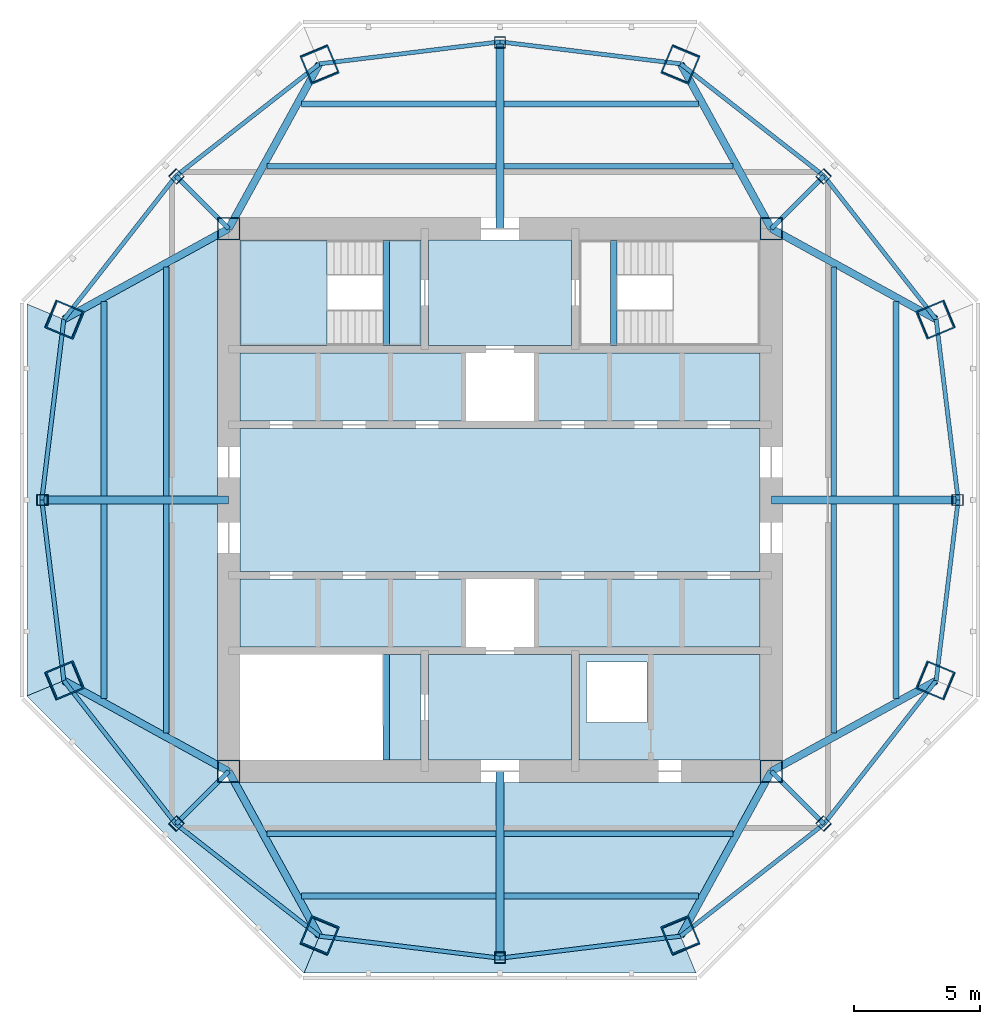
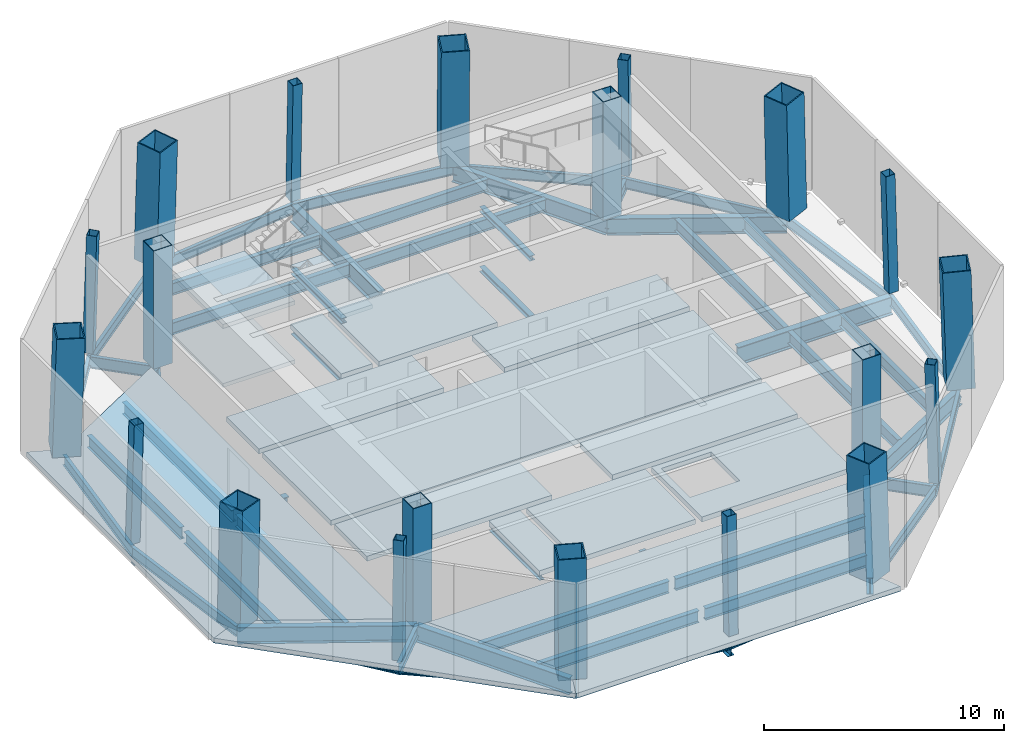
# One storey, part 1 of 6: 53 beams, 20 columns, 16 slabs, 1 element without a shape of its own.
"""IFC4 building model written with IfcOpenShell, lengths in metres."""

from ifc_helpers import new_model, si_unit, direction, frame, origin, origin_2d, place, context, subcontext, project, spatial, polyline, hollow_rectangle, i_section, outline, extrude, material, layer, layer_set, material_profile, profile_set, type_object, element, aggregate, save


model = new_model("IFC4")

# Units and contexts
model_context = context("Model", 3, precision=1e-05, world=origin(), true_north=direction((0.0, 1.0)))
body_context = subcontext(model_context, "Body", "Model", "MODEL_VIEW")
ifc_project = project(units=[si_unit("LENGTHUNIT", "METRE"), si_unit("AREAUNIT", "SQUARE_METRE"), si_unit("VOLUMEUNIT", "CUBIC_METRE"), si_unit("PLANEANGLEUNIT", "RADIAN"), si_unit("MASSUNIT", "GRAM", prefix="KILO")], contexts=[model_context])

# Site, building, storey
site_placement = place(None, origin())
site = spatial("IfcSite", under=ifc_project, at=site_placement, CompositionType="ELEMENT")
building_placement = place(site_placement, origin())
building = spatial("IfcBuilding", under=site, at=building_placement, Name="Mashrafa Tower", CompositionType="ELEMENT")
storey_placement = place(building_placement, frame((0.0, 0.0, 317.60009765625)))
storey = spatial("IfcBuildingStorey", under=building, at=storey_placement, Name="L78", CompositionType="ELEMENT", Elevation=317.60009765625)

# Columns
ifc_material_1 = material(Name="Steel ASTM A572 Gr 50", Category="steel")
ifc_material_profile_1 = material_profile(ifc_material_1, hollow_rectangle(XDim=0.89990234375, YDim=0.89990234375, WallThickness=0.0400390625, at=origin_2d()), Name="BOX900X900X40")
ifc_profile_set_1 = profile_set([ifc_material_profile_1], Name="Steel ASTM A572 Gr 50")
column_type_1 = type_object("IfcColumnType", Name="Core corner column BOX900X900X40", PredefinedType="COLUMN", material=ifc_profile_set_1)
for number, where, z_axis, x_axis, name in (
    (1, (10.800048828125, 10.800048828125, 0.0), (0.0, 0.0, 1.0), (1.0, 0.0, 0.0), "Core corner column CC-NE L78"),
    (2, (-10.800048828125, 10.800048828125, 0.0), (0.0, 0.0, 1.0), (1.0, 0.0, 0.0), "Core corner column CC-NW L78"),
    (3, (-10.800048828125, -10.800048828125, 0.0), (0.0, 0.0, 1.0), (1.0, 0.0, 0.0), "Core corner column CC-SW L78"),
    (4, (10.800048828125, -10.800048828125, 0.0), (0.0, 0.0, 1.0), (1.0, 0.0, 0.0), "Core corner column CC-SE L78"),
):
    element("IfcColumn", number, at=place(storey_placement, frame(where, z_axis=z_axis, x_axis=x_axis)), inside=storey, type_object=column_type_1, Name=name, PredefinedType="COLUMN", context=body_context, shape_type="SweptSolid", body=[
        extrude(hollow_rectangle(XDim=0.89990234375, YDim=0.89990234375, WallThickness=0.0400390625, at=origin_2d()), origin(), (0.0, 0.0, 1.0), 6.0),
    ])
ifc_material_2 = material(Name="Steel ASTM A572 Gr 50", Category="steel")
ifc_material_profile_2 = material_profile(ifc_material_2, hollow_rectangle(XDim=1.199951171875, YDim=1.199951171875, WallThickness=0.054931640625, at=origin_2d()), Name="BOX1200X1200X55")
ifc_profile_set_2 = profile_set([ifc_material_profile_2], Name="Steel ASTM A572 Gr 50")
column_type_2 = type_object("IfcColumnType", Name="Mega column CFST BOX1200X1200X55", PredefinedType="COLUMN", material=ifc_profile_set_2)
for number, where, z_axis, x_axis, name in (
    (5, (17.35205078125, 7.1875, 0.0), (-0.028266381762, -0.011713263234, 0.999531795956), (0.38282136346, -0.923822387517, 0.0), "Mega column MC1 L78"),
    (6, (7.1875, 17.35205078125, 0.0), (-0.011713263234, -0.028266381762, 0.999531795956), (0.923822387517, -0.38282136346, 0.0), "Mega column MC2 L78"),
    (7, (-7.1875, 17.35205078125, 0.0), (0.011713263234, -0.028266381762, 0.999531795956), (0.923822387517, 0.38282136346, 0.0), "Mega column MC3 L78"),
    (8, (-17.35205078125, 7.1875, 0.0), (0.028266381762, -0.011713263234, 0.999531795956), (0.38282136346, 0.923822387517, 0.0), "Mega column MC4 L78"),
    (9, (-17.35205078125, -7.1875, 0.0), (0.028266381762, 0.011713263234, 0.999531795956), (-0.38282136346, 0.923822387517, 0.0), "Mega column MC5 L78"),
    (10, (-7.1875, -17.35205078125, 0.0), (0.011713263234, 0.028266381762, 0.999531795956), (-0.923822387517, 0.38282136346, 0.0), "Mega column MC6 L78"),
    (11, (7.1875, -17.35205078125, 0.0), (-0.011713263234, 0.028266381762, 0.999531795956), (-0.923822387517, -0.38282136346, 0.0), "Mega column MC7 L78"),
    (12, (17.35205078125, -7.1875, 0.0), (-0.028266381762, 0.011713263234, 0.999531795956), (-0.38282136346, -0.923822387517, 0.0), "Mega column MC8 L78"),
):
    element("IfcColumn", number, at=place(storey_placement, frame(where, z_axis=z_axis, x_axis=x_axis)), inside=storey, type_object=column_type_2, Name=name, PredefinedType="COLUMN", context=body_context, shape_type="SweptSolid", body=[
        extrude(hollow_rectangle(XDim=1.199951171875, YDim=1.199951171875, WallThickness=0.054931640625, at=origin_2d()), origin(), (0.0, 0.0, 1.0), 6.0029296875),
    ])
ifc_material_3 = material(Name="Steel ASTM A572 Gr 50", Category="steel")
ifc_material_profile_3 = material_profile(ifc_material_3, hollow_rectangle(XDim=0.449951171875, YDim=0.449951171875, WallThickness=0.02001953125, at=origin_2d()), Name="BOX450X450X20")
ifc_profile_set_3 = profile_set([ifc_material_profile_3], Name="Steel ASTM A572 Gr 50")
column_type_3 = type_object("IfcColumnType", Name="Secondary column BOX450X450X20", PredefinedType="COLUMN", material=ifc_profile_set_3)
for number, where, z_axis, x_axis, name in (
    (13, (18.230224609375, 0.0, 0.0), (-0.028268321043, 0.0, 0.999600371161), (0.0, -1.0, 0.0), "Secondary column SC1 L78"),
    (14, (12.890625, 12.890625, 0.0), (-0.019970871281, -0.019970871281, 0.999601084734), (0.707106781187, -0.707106781187, 0.0), "Secondary column SC2 L78"),
    (15, (0.0, 18.230224609375, 0.0), (0.0, -0.028268321043, 0.999600371161), (1.0, 0.0, 0.0), "Secondary column SC3 L78"),
    (16, (-12.890625, 12.890625, 0.0), (0.019970871281, -0.019970871281, 0.999601084734), (0.707106781187, 0.707106781187, 0.0), "Secondary column SC4 L78"),
    (17, (-18.230224609375, 0.0, 0.0), (0.028268321043, 0.0, 0.999600371161), (0.0, 1.0, 0.0), "Secondary column SC5 L78"),
    (18, (-12.890625, -12.890625, 0.0), (0.019970871281, 0.019970871281, 0.999601084734), (-0.707106781187, 0.707106781187, 0.0), "Secondary column SC6 L78"),
    (19, (0.0, -18.230224609375, 0.0), (0.0, 0.028268321043, 0.999600371161), (-1.0, 0.0, 0.0), "Secondary column SC7 L78"),
    (20, (12.890625, -12.890625, 0.0), (-0.019970871281, 0.019970871281, 0.999601084734), (-0.707106781187, -0.707106781187, 0.0), "Secondary column SC8 L78"),
):
    element("IfcColumn", number, at=place(storey_placement, frame(where, z_axis=z_axis, x_axis=x_axis)), inside=storey, type_object=column_type_3, Name=name, PredefinedType="COLUMN", context=body_context, shape_type="SweptSolid", body=[
        extrude(hollow_rectangle(XDim=0.449951171875, YDim=0.449951171875, WallThickness=0.02001953125, at=origin_2d()), origin(), (0.0, 0.0, 1.0), 6.00244140625),
    ])

# Beams
ifc_material_4 = material(Name="Steel ASTM A992", Category="steel")
ifc_material_profile_4 = material_profile(ifc_material_4, i_section(OverallWidth=0.165771484375, OverallDepth=0.5283203125, WebThickness=0.009765625, FlangeThickness=0.013671875, FilletRadius=0.012939453125, at=origin_2d()), Name="W21X50")
ifc_profile_set_4 = profile_set([ifc_material_profile_4], Name="Steel ASTM A992")
beam_type_1 = type_object("IfcBeamType", Name="Beam W21X50", PredefinedType="BEAM", material=ifc_profile_set_4)
for number, where, z_axis, x_axis, name in (
    (21, (-18.2373046875, 0.0, -0.51416015625), (0.121230139357, -0.992624427118, 0.0), (0.992624427118, 0.121230139357, 0.0), "Spandrel beam L78 033"),
    (22, (-17.359130859375, -7.1904296875, -0.51416015625), (0.616166483816, -0.787615937003, 0.0), (0.787615937003, 0.616166483816, 0.0), "Spandrel beam L78 034"),
    (23, (-17.359130859375, 7.1904296875, -0.51416015625), (-0.121230139357, -0.992624427118, 0.0), (0.992624427118, -0.121230139357, 0.0), "Spandrel beam L78 035"),
    (24, (-12.895751953125, -12.895751953125, -0.51416015625), (0.787615937003, -0.616166483816, 0.0), (0.616166483816, 0.787615937003, 0.0), "Spandrel beam L78 036"),
    (25, (-12.895751953125, 12.895751953125, -0.51416015625), (-0.616166483816, -0.787615937003, 0.0), (0.787615937003, -0.616166483816, 0.0), "Spandrel beam L78 037"),
    (26, (-7.1904296875, -17.359130859375, -0.51416015625), (0.992624427118, -0.121230139357, 0.0), (0.121230139357, 0.992624427118, 0.0), "Spandrel beam L78 038"),
    (27, (-7.1904296875, 17.359130859375, -0.51416015625), (-0.787615937003, -0.616166483816, 0.0), (0.616166483816, -0.787615937003, 0.0), "Spandrel beam L78 039"),
    (28, (0.0, -18.2373046875, -0.51416015625), (0.992624427118, 0.121230139357, 0.0), (-0.121230139357, 0.992624427118, 0.0), "Spandrel beam L78 040"),
    (29, (0.0, 18.2373046875, -0.51416015625), (-0.992624427118, -0.121230139357, 0.0), (0.121230139357, -0.992624427118, 0.0), "Spandrel beam L78 041"),
    (30, (7.1904296875, -17.359130859375, -0.51416015625), (0.787615937003, 0.616166483816, 0.0), (-0.616166483816, 0.787615937003, 0.0), "Spandrel beam L78 042"),
    (31, (7.1904296875, 17.359130859375, -0.51416015625), (-0.992624427118, 0.121230139357, 0.0), (-0.121230139357, -0.992624427118, 0.0), "Spandrel beam L78 043"),
    (32, (12.895751953125, -12.895751953125, -0.51416015625), (0.616166483816, 0.787615937003, 0.0), (-0.787615937003, 0.616166483816, 0.0), "Spandrel beam L78 044"),
    (33, (12.895751953125, 12.895751953125, -0.51416015625), (-0.787615937003, 0.616166483816, 0.0), (-0.616166483816, -0.787615937003, 0.0), "Spandrel beam L78 045"),
    (34, (17.359130859375, -7.1904296875, -0.51416015625), (0.121230139357, 0.992624427118, 0.0), (-0.992624427118, 0.121230139357, 0.0), "Spandrel beam L78 046"),
    (35, (17.359130859375, 7.1904296875, -0.51416015625), (-0.616166483816, 0.787615937003, 0.0), (-0.787615937003, -0.616166483816, 0.0), "Spandrel beam L78 047"),
    (36, (18.2373046875, 0.0, -0.51416015625), (-0.121230139357, 0.992624427118, 0.0), (-0.992624427118, -0.121230139357, 0.0), "Spandrel beam L78 048"),
):
    element("IfcBeam", number, at=place(storey_placement, frame(where, z_axis=z_axis, x_axis=x_axis)), inside=storey, type_object=beam_type_1, Name=name, PredefinedType="BEAM", context=body_context, shape_type="SweptSolid", body=[
        extrude(i_section(OverallWidth=0.165771484375, OverallDepth=0.5283203125, WebThickness=0.009765625, FlangeThickness=0.013671875, FilletRadius=0.012939453125, at=origin_2d()), origin(), (0.0, 0.0, 1.0), 7.243896484375),
    ])
ifc_material_5 = material(Name="Steel ASTM A992", Category="steel")
ifc_material_profile_5 = material_profile(ifc_material_5, i_section(OverallWidth=0.177978515625, OverallDepth=0.599365234375, WebThickness=0.010009765625, FlangeThickness=0.012939453125, FilletRadius=0.012939453125, at=origin_2d()), Name="W24X55")
ifc_profile_set_5 = profile_set([ifc_material_profile_5], Name="Steel ASTM A992")
beam_type_2 = type_object("IfcBeamType", Name="Beam W24X55", PredefinedType="BEAM", material=ifc_profile_set_5)
for number, where, z_axis, x_axis, name in (
    (37, (-10.800048828125, -10.800048828125, -0.5498046875), (-0.707106781187, -0.707106781187, 0.0), (0.707106781187, -0.707106781187, 0.0), "Radial girder L78 018"),
    (38, (-10.800048828125, 10.800048828125, -0.5498046875), (-0.707106781187, 0.707106781187, 0.0), (-0.707106781187, -0.707106781187, 0.0), "Radial girder L78 022"),
    (39, (10.800048828125, -10.800048828125, -0.5498046875), (0.707106781187, -0.707106781187, 0.0), (0.707106781187, 0.707106781187, 0.0), "Radial girder L78 027"),
    (40, (10.800048828125, 10.800048828125, -0.5498046875), (0.707106781187, 0.707106781187, 0.0), (-0.707106781187, 0.707106781187, 0.0), "Radial girder L78 031"),
):
    element("IfcBeam", number, at=place(storey_placement, frame(where, z_axis=z_axis, x_axis=x_axis)), inside=storey, type_object=beam_type_2, Name=name, PredefinedType="BEAM", context=body_context, shape_type="SweptSolid", body=[
        extrude(i_section(OverallWidth=0.177978515625, OverallDepth=0.599365234375, WebThickness=0.010009765625, FlangeThickness=0.012939453125, FilletRadius=0.012939453125, at=origin_2d()), origin(), (0.0, 0.0, 1.0), 2.9638671875),
    ])
ifc_material_6 = material(Name="Steel ASTM A992", Category="steel")
ifc_material_profile_6 = material_profile(ifc_material_6, i_section(OverallWidth=0.228271484375, OverallDepth=0.607177734375, WebThickness=0.01123046875, FlangeThickness=0.017333984375, FilletRadius=0.0126953125, at=origin_2d()), Name="W24X76")
ifc_profile_set_6 = profile_set([ifc_material_profile_6], Name="Steel ASTM A992")
beam_type_3 = type_object("IfcBeamType", Name="Beam W24X76", PredefinedType="BEAM", material=ifc_profile_set_6)
for number, where, z_axis, x_axis, name in (
    (41, (-15.75830078125, -7.90478515625, -0.5537109375), (0.0, 1.0, 0.0), (-1.0, 0.0, 0.0), "Floor beam L78 001"),
    (42, (-15.75830078125, 0.15380859375, -0.5537109375), (0.0, 1.0, 0.0), (-1.0, 0.0, 0.0), "Floor beam L78 002"),
):
    element("IfcBeam", number, at=place(storey_placement, frame(where, z_axis=z_axis, x_axis=x_axis)), inside=storey, type_object=beam_type_3, Name=name, PredefinedType="BEAM", context=body_context, shape_type="SweptSolid", body=[
        extrude(i_section(OverallWidth=0.228271484375, OverallDepth=0.607177734375, WebThickness=0.01123046875, FlangeThickness=0.017333984375, FilletRadius=0.0126953125, at=origin_2d()), origin(), (0.0, 0.0, 1.0), 7.7509765625),
    ])
for number, where, z_axis, x_axis, name in (
    (43, (-13.279052734375, -9.26904296875, -0.5537109375), (0.0, 1.0, 0.0), (-1.0, 0.0, 0.0), "Floor beam L78 003"),
    (44, (-13.279052734375, 0.15380859375, -0.5537109375), (0.0, 1.0, 0.0), (-1.0, 0.0, 0.0), "Floor beam L78 004"),
    (45, (-9.26904296875, 13.279052734375, -0.5537109375), (1.0, 0.0, 0.0), (0.0, 1.0, 0.0), "Floor beam L78 005"),
):
    element("IfcBeam", number, at=place(storey_placement, frame(where, z_axis=z_axis, x_axis=x_axis)), inside=storey, type_object=beam_type_3, Name=name, PredefinedType="BEAM", context=body_context, shape_type="SweptSolid", body=[
        extrude(i_section(OverallWidth=0.228271484375, OverallDepth=0.607177734375, WebThickness=0.01123046875, FlangeThickness=0.017333984375, FilletRadius=0.0126953125, at=origin_2d()), origin(), (0.0, 0.0, 1.0), 9.115234375),
    ])
for number, where, z_axis, x_axis, name in (
    (46, (-7.90478515625, 15.75830078125, -0.5537109375), (1.0, 0.0, 0.0), (0.0, 1.0, 0.0), "Floor beam L78 006"),
    (47, (-0.15380859375, -15.75830078125, -0.5537109375), (-1.0, 0.0, 0.0), (0.0, -1.0, 0.0), "Floor beam L78 007"),
):
    element("IfcBeam", number, at=place(storey_placement, frame(where, z_axis=z_axis, x_axis=x_axis)), inside=storey, type_object=beam_type_3, Name=name, PredefinedType="BEAM", context=body_context, shape_type="SweptSolid", body=[
        extrude(i_section(OverallWidth=0.228271484375, OverallDepth=0.607177734375, WebThickness=0.01123046875, FlangeThickness=0.017333984375, FilletRadius=0.0126953125, at=origin_2d()), origin(), (0.0, 0.0, 1.0), 7.7509765625),
    ])
for number, where, z_axis, x_axis, name in (
    (48, (-0.15380859375, -13.279052734375, -0.5537109375), (-1.0, 0.0, 0.0), (0.0, -1.0, 0.0), "Floor beam L78 008"),
    (49, (0.15380859375, 13.279052734375, -0.5537109375), (1.0, 0.0, 0.0), (0.0, 1.0, 0.0), "Floor beam L78 009"),
):
    element("IfcBeam", number, at=place(storey_placement, frame(where, z_axis=z_axis, x_axis=x_axis)), inside=storey, type_object=beam_type_3, Name=name, PredefinedType="BEAM", context=body_context, shape_type="SweptSolid", body=[
        extrude(i_section(OverallWidth=0.228271484375, OverallDepth=0.607177734375, WebThickness=0.01123046875, FlangeThickness=0.017333984375, FilletRadius=0.0126953125, at=origin_2d()), origin(), (0.0, 0.0, 1.0), 9.115234375),
    ])
for number, where, z_axis, x_axis, name in (
    (50, (0.15380859375, 15.75830078125, -0.5537109375), (1.0, 0.0, 0.0), (0.0, 1.0, 0.0), "Floor beam L78 010"),
    (51, (7.90478515625, -15.75830078125, -0.5537109375), (-1.0, 0.0, 0.0), (0.0, -1.0, 0.0), "Floor beam L78 011"),
):
    element("IfcBeam", number, at=place(storey_placement, frame(where, z_axis=z_axis, x_axis=x_axis)), inside=storey, type_object=beam_type_3, Name=name, PredefinedType="BEAM", context=body_context, shape_type="SweptSolid", body=[
        extrude(i_section(OverallWidth=0.228271484375, OverallDepth=0.607177734375, WebThickness=0.01123046875, FlangeThickness=0.017333984375, FilletRadius=0.0126953125, at=origin_2d()), origin(), (0.0, 0.0, 1.0), 7.7509765625),
    ])
for number, where, z_axis, x_axis, name in (
    (52, (9.26904296875, -13.279052734375, -0.5537109375), (-1.0, 0.0, 0.0), (0.0, -1.0, 0.0), "Floor beam L78 012"),
    (53, (13.279052734375, -0.15380859375, -0.5537109375), (0.0, -1.0, 0.0), (1.0, 0.0, 0.0), "Floor beam L78 013"),
    (54, (13.279052734375, 9.26904296875, -0.5537109375), (0.0, -1.0, 0.0), (1.0, 0.0, 0.0), "Floor beam L78 014"),
):
    element("IfcBeam", number, at=place(storey_placement, frame(where, z_axis=z_axis, x_axis=x_axis)), inside=storey, type_object=beam_type_3, Name=name, PredefinedType="BEAM", context=body_context, shape_type="SweptSolid", body=[
        extrude(i_section(OverallWidth=0.228271484375, OverallDepth=0.607177734375, WebThickness=0.01123046875, FlangeThickness=0.017333984375, FilletRadius=0.0126953125, at=origin_2d()), origin(), (0.0, 0.0, 1.0), 9.115234375),
    ])
for number, where, z_axis, x_axis, name in (
    (55, (15.75830078125, -0.15380859375, -0.5537109375), (0.0, -1.0, 0.0), (1.0, 0.0, 0.0), "Floor beam L78 015"),
    (56, (15.75830078125, 7.90478515625, -0.5537109375), (0.0, -1.0, 0.0), (1.0, 0.0, 0.0), "Floor beam L78 016"),
):
    element("IfcBeam", number, at=place(storey_placement, frame(where, z_axis=z_axis, x_axis=x_axis)), inside=storey, type_object=beam_type_3, Name=name, PredefinedType="BEAM", context=body_context, shape_type="SweptSolid", body=[
        extrude(i_section(OverallWidth=0.228271484375, OverallDepth=0.607177734375, WebThickness=0.01123046875, FlangeThickness=0.017333984375, FilletRadius=0.0126953125, at=origin_2d()), origin(), (0.0, 0.0, 1.0), 7.7509765625),
    ])
ifc_material_7 = material(Name="Steel ASTM A992", Category="steel")
ifc_material_profile_7 = material_profile(ifc_material_7, i_section(OverallWidth=0.2919921875, OverallDepth=0.845703125, WebThickness=0.015380859375, FlangeThickness=0.0244140625, FilletRadius=0.017333984375, at=origin_2d()), Name="W33X141")
ifc_profile_set_7 = profile_set([ifc_material_profile_7], Name="Steel ASTM A992")
beam_type_4 = type_object("IfcBeamType", Name="Beam W33X141", PredefinedType="BEAM", material=ifc_profile_set_7)
for number, where, z_axis, x_axis, name in (
    (57, (-10.800048828125, -10.800048828125, -0.673095703125), (-0.876096082674, 0.482136551118, 0.0), (-0.482136551118, -0.876096082674, 0.0), "Radial girder L78 017"),
    (58, (-10.800048828125, -10.800048828125, -0.673095703125), (0.482136551118, -0.876096082674, 0.0), (0.876096082674, 0.482136551118, 0.0), "Radial girder L78 019"),
    (59, (-10.800048828125, 10.800048828125, -0.673095703125), (-0.876096082674, -0.482136551118, 0.0), (0.482136551118, -0.876096082674, 0.0), "Radial girder L78 021"),
    (60, (-10.800048828125, 10.800048828125, -0.673095703125), (0.482136551118, 0.876096082674, 0.0), (-0.876096082674, 0.482136551118, 0.0), "Radial girder L78 023"),
    (61, (10.800048828125, -10.800048828125, -0.673095703125), (-0.482136551118, -0.876096082674, 0.0), (0.876096082674, -0.482136551118, 0.0), "Radial girder L78 026"),
    (62, (10.800048828125, -10.800048828125, -0.673095703125), (0.876096082674, 0.482136551118, 0.0), (-0.482136551118, 0.876096082674, 0.0), "Radial girder L78 028"),
    (63, (10.800048828125, 10.800048828125, -0.673095703125), (-0.482136551118, 0.876096082674, 0.0), (-0.876096082674, -0.482136551118, 0.0), "Radial girder L78 030"),
    (64, (10.800048828125, 10.800048828125, -0.673095703125), (0.876096082674, -0.482136551118, 0.0), (0.482136551118, 0.876096082674, 0.0), "Radial girder L78 032"),
):
    element("IfcBeam", number, at=place(storey_placement, frame(where, z_axis=z_axis, x_axis=x_axis)), inside=storey, type_object=beam_type_4, Name=name, PredefinedType="BEAM", context=body_context, shape_type="SweptSolid", body=[
        extrude(i_section(OverallWidth=0.2919921875, OverallDepth=0.845703125, WebThickness=0.015380859375, FlangeThickness=0.0244140625, FilletRadius=0.017333984375, at=origin_2d()), origin(), (0.0, 0.0, 1.0), 7.48681640625),
    ])
ifc_material_8 = material(Name="Steel ASTM A992", Category="steel")
ifc_material_profile_8 = material_profile(ifc_material_8, i_section(OverallWidth=0.307373046875, OverallDepth=0.927001953125, WebThickness=0.01953125, FlangeThickness=0.031982421875, FilletRadius=0.01904296875, at=origin_2d()), Name="W36X194")
ifc_profile_set_8 = profile_set([ifc_material_profile_8], Name="Steel ASTM A992")
beam_type_5 = type_object("IfcBeamType", Name="Beam W36X194", PredefinedType="BEAM", material=ifc_profile_set_8)
for number, where, z_axis, x_axis, name in (
    (65, (-10.800048828125, 0.0, -0.713623046875), (-1.0, 0.0, 0.0), (0.0, -1.0, 0.0), "Radial girder L78 020"),
    (66, (0.0, -10.800048828125, -0.713623046875), (0.0, -1.0, 0.0), (1.0, 0.0, 0.0), "Radial girder L78 024"),
    (67, (0.0, 10.800048828125, -0.713623046875), (0.0, 1.0, 0.0), (-1.0, 0.0, 0.0), "Radial girder L78 025"),
    (68, (10.800048828125, 0.0, -0.713623046875), (1.0, 0.0, 0.0), (0.0, 1.0, 0.0), "Radial girder L78 029"),
):
    element("IfcBeam", number, at=place(storey_placement, frame(where, z_axis=z_axis, x_axis=x_axis)), inside=storey, type_object=beam_type_5, Name=name, PredefinedType="BEAM", context=body_context, shape_type="SweptSolid", body=[
        extrude(i_section(OverallWidth=0.307373046875, OverallDepth=0.927001953125, WebThickness=0.01953125, FlangeThickness=0.031982421875, FilletRadius=0.01904296875, at=origin_2d()), origin(), (0.0, 0.0, 1.0), 7.437255859375),
    ])
ifc_material_9 = material(Name="Steel ASTM A992", Category="steel")
ifc_material_profile_9 = material_profile(ifc_material_9, i_section(OverallWidth=0.25390625, OverallDepth=0.25390625, WebThickness=0.008544921875, FlangeThickness=0.01416015625, FilletRadius=0.010009765625, at=origin_2d()), Name="W10X49")
ifc_profile_set_9 = profile_set([ifc_material_profile_9], Name="Steel ASTM A992")
beam_type_6 = type_object("IfcBeamType", Name="Hoistway beam W10X49", PredefinedType="BEAM", material=ifc_profile_set_9)
for number, where, z_axis, x_axis, name in (
    (69, (-4.530029296875, 6.14990234375, -0.377197265625), (0.0, 1.0, 0.0), (-1.0, 0.0, 0.0), "Stair S1 landing beam L78"),
    (70, (-4.530029296875, 6.14990234375, 2.6728515625), (0.0, 1.0, 0.0), (-1.0, 0.0, 0.0), "Stair S1 landing beam L78"),
    (71, (4.530029296875, 6.14990234375, -0.377197265625), (0.0, 1.0, 0.0), (-1.0, 0.0, 0.0), "Stair S2 landing beam L78"),
    (72, (4.530029296875, 6.14990234375, 2.6728515625), (0.0, 1.0, 0.0), (-1.0, 0.0, 0.0), "Stair S2 landing beam L78"),
    (73, (-4.530029296875, -10.35009765625, -0.377197265625), (0.0, 1.0, 0.0), (-1.0, 0.0, 0.0), "Stair S3 landing beam L78"),
):
    element("IfcBeam", number, at=place(storey_placement, frame(where, z_axis=z_axis, x_axis=x_axis)), inside=storey, type_object=beam_type_6, Name=name, PredefinedType="BEAM", context=body_context, shape_type="SweptSolid", body=[
        extrude(i_section(OverallWidth=0.25390625, OverallDepth=0.25390625, WebThickness=0.008544921875, FlangeThickness=0.01416015625, FilletRadius=0.010009765625, at=origin_2d()), origin(), (0.0, 0.0, 1.0), 4.2001953125),
    ])

# Slabs
ifc_material_10 = material(Name="Concrete C35/45", Category="concrete")
ifc_layer_1 = layer(ifc_material_10, 0.25)
ifc_layer_set_1 = layer_set([ifc_layer_1], Name="Floor slab 250")
slab_type_1 = type_object("IfcSlabType", Name="Floor slab 250", PredefinedType="FLOOR", material=ifc_layer_set_1)
slab_1_placement = place(storey_placement, frame((0.0, 0.0, -0.25)))
element("IfcSlab", 74, at=slab_1_placement, inside=storey, type_object=slab_type_1, Name="Floor slab L78 west bay", PredefinedType="FLOOR", context=body_context, shape_type="SweptSolid", body=[
    extrude(outline(polyline([(-18.830322265625, -7.7998046875), (-18.830322265625, 7.7998046875), (-18.830322265625, 7.7998046875), (-17.359130859375, 7.1904296875), (-11.25, 10.55224609375), (-11.25, -10.55224609375), (-17.359130859375, -7.1904296875), (-18.830322265625, -7.7998046875), (-18.830322265625, -7.7998046875)])), origin(), (0.0, 0.0, 1.0), 0.25),
])
slab_2_placement = place(storey_placement, frame((0.0, 0.0, -0.25)))
element("IfcSlab", 75, at=slab_2_placement, inside=storey, type_object=slab_type_1, Name="Floor slab L78 south-west bay", PredefinedType="FLOOR", context=body_context, shape_type="SweptSolid", body=[
    extrude(outline(polyline([(-18.830322265625, -7.7998046875), (-17.359130859375, -7.1904296875), (-11.25, -10.55224609375), (-11.25, -11.25), (-10.55224609375, -11.25), (-7.1904296875, -17.359130859375), (-7.7998046875, -18.830322265625), (-18.830322265625, -7.7998046875)])), origin(), (0.0, 0.0, 1.0), 0.25),
])
slab_3_placement = place(storey_placement, frame((0.0, 0.0, -0.25)))
element("IfcSlab", 76, at=slab_3_placement, inside=storey, type_object=slab_type_1, Name="Floor slab L78 south bay", PredefinedType="FLOOR", context=body_context, shape_type="SweptSolid", body=[
    extrude(outline(polyline([(-7.7998046875, -18.830322265625), (-7.7998046875, -18.830322265625), (-7.1904296875, -17.359130859375), (-10.55224609375, -11.25), (10.55224609375, -11.25), (7.1904296875, -17.359130859375), (7.7998046875, -18.830322265625), (7.7998046875, -18.830322265625), (-7.7998046875, -18.830322265625)])), origin(), (0.0, 0.0, 1.0), 0.25),
])
slab_4_placement = place(storey_placement, frame((0.0, 0.0, -0.25)))
element("IfcSlab", 77, at=slab_4_placement, inside=storey, type_object=slab_type_1, Name="Core floor lift hall L78", PredefinedType="FLOOR", context=body_context, shape_type="SweptSolid", body=[
    extrude(outline(polyline([(-10.35009765625, 2.85009765625), (10.35009765625, 2.85009765625), (10.35009765625, -2.85009765625), (-10.35009765625, -2.85009765625), (-10.35009765625, 2.85009765625)])), origin(), (0.0, 0.0, 1.0), 0.25),
])
slab_5_placement = place(storey_placement, frame((0.0, 0.0, -0.25)))
element("IfcSlab", 78, at=slab_5_placement, inside=storey, type_object=slab_type_1, Name="Core floor riser and electrical band L78", PredefinedType="FLOOR", context=body_context, shape_type="SweptSolid", body=[
    extrude(outline(polyline([(10.35009765625, -6.14990234375), (10.35009765625, -10.35009765625), (3.14990234375, -10.35009765625), (3.14990234375, -6.14990234375), (10.35009765625, -6.14990234375)]), holes=[polyline([(3.449951171875, -8.85009765625), (5.85009765625, -8.85009765625), (5.85009765625, -6.449951171875), (3.449951171875, -6.449951171875), (3.449951171875, -8.85009765625)])]), origin(), (0.0, 0.0, 1.0), 0.25),
])
slab_6_placement = place(storey_placement, frame((0.0, 0.0, -0.25)))
element("IfcSlab", 79, at=slab_6_placement, inside=storey, type_object=slab_type_1, Name="Core floor lift cell L78", PredefinedType="FLOOR", context=body_context, shape_type="SweptSolid", body=[
    extrude(outline(polyline([(-10.35009765625, 5.85009765625), (-1.449951171875, 5.85009765625), (-1.449951171875, 3.14990234375), (-10.35009765625, 3.14990234375), (-10.35009765625, 5.85009765625)])), origin(), (0.0, 0.0, 1.0), 0.25),
])
slab_7_placement = place(storey_placement, frame((0.0, 0.0, -0.25)))
element("IfcSlab", 80, at=slab_7_placement, inside=storey, type_object=slab_type_1, Name="Core floor lift cell L78", PredefinedType="FLOOR", context=body_context, shape_type="SweptSolid", body=[
    extrude(outline(polyline([(10.35009765625, -3.14990234375), (10.35009765625, -5.85009765625), (1.449951171875, -5.85009765625), (1.449951171875, -3.14990234375), (10.35009765625, -3.14990234375)])), origin(), (0.0, 0.0, 1.0), 0.25),
])
slab_8_placement = place(storey_placement, frame((0.0, 0.0, -0.25)))
element("IfcSlab", 81, at=slab_8_placement, inside=storey, type_object=slab_type_1, Name="Core floor lift cell L78", PredefinedType="FLOOR", context=body_context, shape_type="SweptSolid", body=[
    extrude(outline(polyline([(-1.449951171875, -5.85009765625), (-10.35009765625, -5.85009765625), (-10.35009765625, -3.14990234375), (-1.449951171875, -3.14990234375), (-1.449951171875, -5.85009765625)])), origin(), (0.0, 0.0, 1.0), 0.25),
])
slab_9_placement = place(storey_placement, frame((0.0, 0.0, -0.25)))
element("IfcSlab", 82, at=slab_9_placement, inside=storey, type_object=slab_type_1, Name="Core floor lift cell L78", PredefinedType="FLOOR", context=body_context, shape_type="SweptSolid", body=[
    extrude(outline(polyline([(1.449951171875, 5.85009765625), (10.35009765625, 5.85009765625), (10.35009765625, 3.14990234375), (1.449951171875, 3.14990234375), (1.449951171875, 5.85009765625)])), origin(), (0.0, 0.0, 1.0), 0.25),
])
slab_10_placement = place(storey_placement, frame((0.0, 0.0, -0.25)))
element("IfcSlab", 83, at=slab_10_placement, inside=storey, type_object=slab_type_1, Name="Core floor fire-fighting lobby south L78", PredefinedType="FLOOR", context=body_context, shape_type="SweptSolid", body=[
    extrude(outline(polyline([(2.85009765625, -6.14990234375), (2.85009765625, -10.35009765625), (-2.85009765625, -10.35009765625), (-2.85009765625, -6.14990234375), (2.85009765625, -6.14990234375)])), origin(), (0.0, 0.0, 1.0), 0.25),
])
slab_11_placement = place(storey_placement, frame((0.0, 0.0, -0.25)))
element("IfcSlab", 84, at=slab_11_placement, inside=storey, type_object=slab_type_1, Name="Core floor fire-fighting lobby north L78", PredefinedType="FLOOR", context=body_context, shape_type="SweptSolid", body=[
    extrude(outline(polyline([(-2.85009765625, 10.35009765625), (2.85009765625, 10.35009765625), (2.85009765625, 6.14990234375), (-2.85009765625, 6.14990234375), (-2.85009765625, 10.35009765625)])), origin(), (0.0, 0.0, 1.0), 0.25),
])

# Stair, slabs
ifc_material_11 = material(Name="Exit stair 1400")
stair_type = type_object("IfcStairType", Name="Exit stair 1400", PredefinedType="HALF_TURN_STAIR", material=ifc_material_11)
stair_placement = place(storey_placement, origin())
stair = element("IfcStair", 85, at=stair_placement, inside=storey, type_object=stair_type, Name="Stair S1 L78", PredefinedType="HALF_TURN_STAIR")
ifc_material_12 = material(Name="Concrete C32/40", Category="concrete")
ifc_layer_2 = layer(ifc_material_12, 0.199951171875)
ifc_layer_set_2 = layer_set([ifc_layer_2], Name="Stair landing 200")
slab_type_2 = type_object("IfcSlabType", Name="Stair landing 200", PredefinedType="LANDING", material=ifc_layer_set_2)
slab_12_placement = place(storey_placement, frame((0.0, 0.0, 1.2998046875)))
slab_12 = element("IfcSlab", 86, at=slab_12_placement, type_object=slab_type_2, Name="S1 landing 2", PredefinedType="LANDING", context=body_context, shape_type="SweptSolid", body=[
    extrude(outline(polyline([(-10.35009765625, 6.14990234375), (-6.8798828125, 6.14990234375), (-6.8798828125, 10.35009765625), (-10.35009765625, 10.35009765625), (-10.35009765625, 6.14990234375)])), origin(), (0.0, 0.0, 1.0), 0.2001953125),
])
slab_13_placement = place(storey_placement, frame((0.0, 0.0, 2.7998046875)))
slab_13 = element("IfcSlab", 87, at=slab_13_placement, type_object=slab_type_2, Name="S1 landing 3", PredefinedType="LANDING", context=body_context, shape_type="SweptSolid", body=[
    extrude(outline(polyline([(-4.659912109375, 6.14990234375), (-3.14990234375, 6.14990234375), (-3.14990234375, 10.35009765625), (-4.659912109375, 10.35009765625), (-4.659912109375, 6.14990234375)])), origin(), (0.0, 0.0, 1.0), 0.2001953125),
])
slab_14_placement = place(storey_placement, frame((0.0, 0.0, 4.2998046875)))
slab_14 = element("IfcSlab", 88, at=slab_14_placement, type_object=slab_type_2, Name="S1 landing 4", PredefinedType="LANDING", context=body_context, shape_type="SweptSolid", body=[
    extrude(outline(polyline([(-10.35009765625, 6.14990234375), (-6.8798828125, 6.14990234375), (-6.8798828125, 10.35009765625), (-10.35009765625, 10.35009765625), (-10.35009765625, 6.14990234375)])), origin(), (0.0, 0.0, 1.0), 0.2001953125),
])
ifc_material_13 = material(Name="Concrete C32/40", Category="concrete")
ifc_layer_3 = layer(ifc_material_13, 0.25)
ifc_layer_set_3 = layer_set([ifc_layer_3], Name="Stair landing 250")
slab_type_3 = type_object("IfcSlabType", Name="Stair landing 250", PredefinedType="LANDING", material=ifc_layer_set_3)
slab_15_placement = place(storey_placement, frame((0.0, 0.0, -0.25)))
slab_15 = element("IfcSlab", 89, at=slab_15_placement, type_object=slab_type_3, Name="S1 landing 1", PredefinedType="LANDING", context=body_context, shape_type="SweptSolid", body=[
    extrude(outline(polyline([(-4.659912109375, 6.14990234375), (-3.14990234375, 6.14990234375), (-3.14990234375, 10.35009765625), (-4.659912109375, 10.35009765625), (-4.659912109375, 6.14990234375)])), origin(), (0.0, 0.0, 1.0), 0.25),
])
aggregate(stair, [slab_15, slab_12, slab_13, slab_14])

# Slab
slab_16_placement = place(storey_placement, frame((0.0, 0.0, -0.25)))
element("IfcSlab", 90, at=slab_16_placement, inside=storey, type_object=slab_type_3, Name="Stair S3 landing L78", PredefinedType="LANDING", context=body_context, shape_type="SweptSolid", body=[
    extrude(outline(polyline([(-4.659912109375, -10.35009765625), (-3.14990234375, -10.35009765625), (-3.14990234375, -6.14990234375), (-4.659912109375, -6.14990234375), (-4.659912109375, -10.35009765625)])), origin(), (0.0, 0.0, 1.0), 0.25),
])

save(model, "model.ifc")
